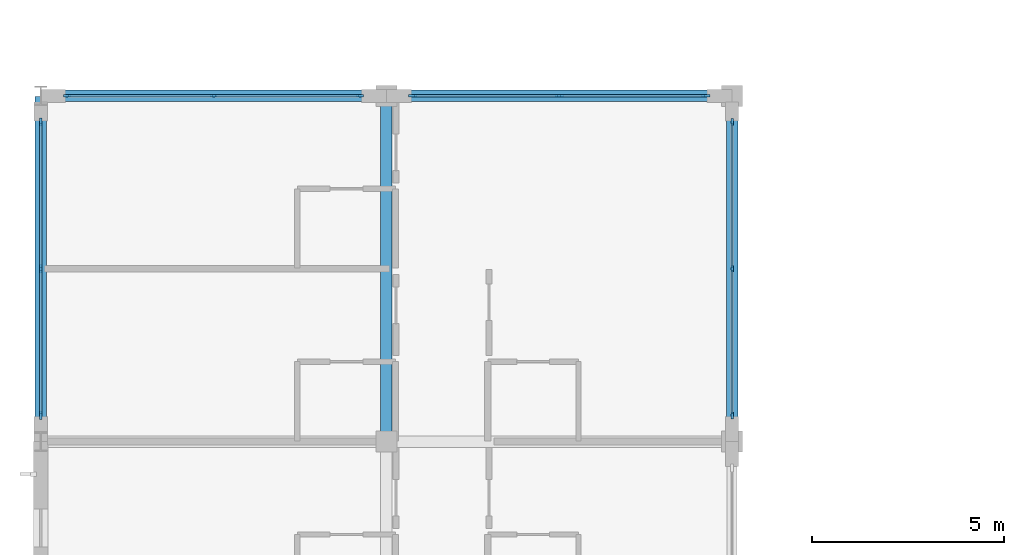
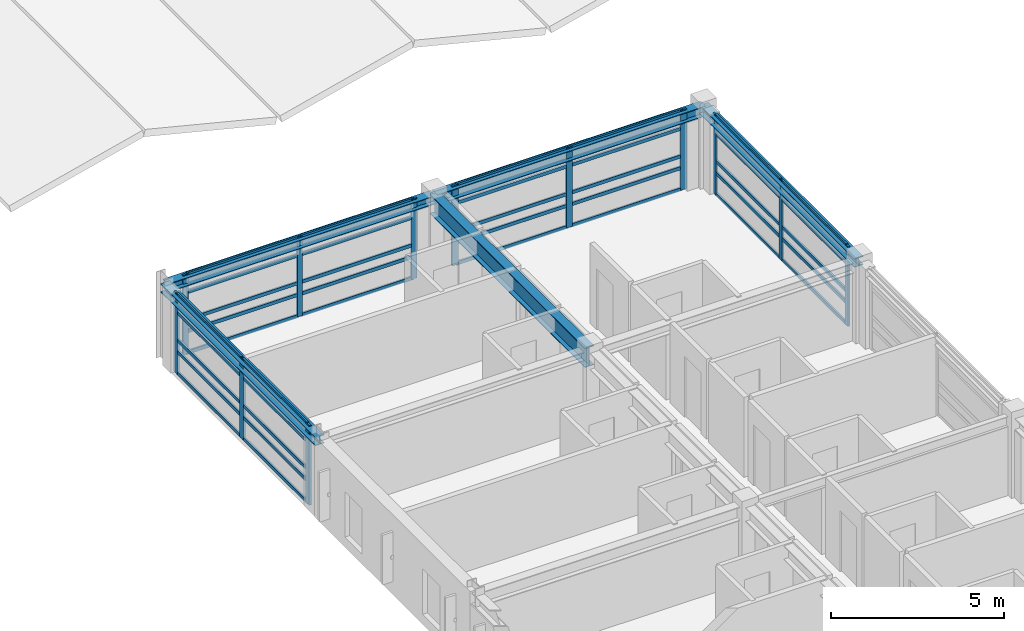
# One storey, part 13 of 37: 52 members, 5 beams, 4 elements without a shape of their own.
"""IFC4 building model written with IfcOpenShell, lengths in metres."""

from ifc_helpers import new_model, si_unit, direction, frame, origin, origin_2d, place, context, subcontext, project, spatial, rectangle, i_section, extrude, material, material_profile, profile_set, type_object, element, aggregate, save


model = new_model("IFC4")

# Units and contexts
model_context = context("Model", 3, precision=1e-05, world=origin(), true_north=direction((0.0, 1.0)))
body_context = subcontext(model_context, "Body", "Model", "MODEL_VIEW")
ifc_project = project(units=[si_unit("LENGTHUNIT", "METRE"), si_unit("AREAUNIT", "SQUARE_METRE"), si_unit("VOLUMEUNIT", "CUBIC_METRE"), si_unit("PLANEANGLEUNIT", "RADIAN"), si_unit("MASSUNIT", "GRAM", prefix="KILO")], contexts=[model_context])

# Site, building, storey
site_placement = place(None, origin())
site = spatial("IfcSite", under=ifc_project, at=site_placement, CompositionType="ELEMENT")
building_placement = place(site_placement, origin())
building = spatial("IfcBuilding", under=site, at=building_placement, Name="Palais des Congres Ocreval", CompositionType="ELEMENT")
storey_placement = place(building_placement, frame((0.0, 0.0, 11.52001953125)))
storey = spatial("IfcBuildingStorey", under=building, at=storey_placement, Name="L03", CompositionType="ELEMENT", Elevation=11.52001953125)

# Curtain wall, members
ifc_material_1 = material(Name="Anodized bronze aluminium and low-E glass", Category="glass")
curtain_wall_type = type_object("IfcCurtainWallType", Name="Unitised Curtain Wall 7900x2820", PredefinedType="USERDEFINED", material=ifc_material_1)
curtain_wall_1_placement = place(storey_placement, origin())
curtain_wall_1 = element("IfcCurtainWall", 1, at=curtain_wall_1_placement, inside=storey, type_object=curtain_wall_type, Name="Unitised Curtain Wall CW04 L03", ObjectType="UNITISED CURTAIN WALL", PredefinedType="USERDEFINED")
ifc_material_2 = material(Name="Anodized bronze aluminium", Category="aluminium")
ifc_material_profile_1 = material_profile(ifc_material_2, rectangle(XDim=0.06494140625, YDim=0.179931640625, at=origin_2d()), Name="ALU 65x180")
ifc_profile_set_1 = profile_set([ifc_material_profile_1], Name="Anodized bronze aluminium")
member_type_1 = type_object("IfcMemberType", Name="Curtain Wall Mullion ALU 65x180", PredefinedType="MULLION", material=ifc_profile_set_1)
member_1_placement = place(storey_placement, frame((0.6826171875, 72.0, 0.0), z_axis=(0.0, 0.0, 1.0), x_axis=(0.0, 1.0, 0.0)))
member_1 = element("IfcMember", 2, at=member_1_placement, type_object=member_type_1, Name="Curtain Wall Mullion ML03", PredefinedType="MULLION", context=body_context, shape_type="SweptSolid", body=[
    extrude(rectangle(XDim=0.06494140625, YDim=0.179931640625, at=origin_2d()), origin(), (0.0, 0.0, 1.0), 2.820068359375),
])
member_2_placement = place(storey_placement, frame((4.5, 72.0, 0.0), z_axis=(0.0, 0.0, 1.0), x_axis=(0.0, 1.0, 0.0)))
member_2 = element("IfcMember", 3, at=member_2_placement, type_object=member_type_1, Name="Curtain Wall Mullion ML03", PredefinedType="MULLION", context=body_context, shape_type="SweptSolid", body=[
    extrude(rectangle(XDim=0.06494140625, YDim=0.179931640625, at=origin_2d()), origin(), (0.0, 0.0, 1.0), 2.820068359375),
])
member_3_placement = place(storey_placement, frame((8.3173828125, 72.0, 0.0), z_axis=(0.0, 0.0, 1.0), x_axis=(0.0, 1.0, 0.0)))
member_3 = element("IfcMember", 4, at=member_3_placement, type_object=member_type_1, Name="Curtain Wall Mullion ML03", PredefinedType="MULLION", context=body_context, shape_type="SweptSolid", body=[
    extrude(rectangle(XDim=0.06494140625, YDim=0.179931640625, at=origin_2d()), origin(), (0.0, 0.0, 1.0), 2.820068359375),
])

curtain_wall_2_placement = place(storey_placement, origin())
curtain_wall_2 = element("IfcCurtainWall", 5, at=curtain_wall_2_placement, inside=storey, type_object=curtain_wall_type, Name="Unitised Curtain Wall CW04 L03", ObjectType="UNITISED CURTAIN WALL", PredefinedType="USERDEFINED")
member_4_placement = place(storey_placement, frame((18.0, 71.3173828125, 0.0), z_axis=(0.0, 0.0, 1.0), x_axis=(1.0, 0.0, 0.0)))
member_4 = element("IfcMember", 6, at=member_4_placement, type_object=member_type_1, Name="Curtain Wall Mullion ML03", PredefinedType="MULLION", context=body_context, shape_type="SweptSolid", body=[
    extrude(rectangle(XDim=0.06494140625, YDim=0.179931640625, at=origin_2d()), origin(), (0.0, 0.0, 1.0), 2.820068359375),
])
member_5_placement = place(storey_placement, frame((18.0, 67.5, 0.0), z_axis=(0.0, 0.0, 1.0), x_axis=(1.0, 0.0, 0.0)))
member_5 = element("IfcMember", 7, at=member_5_placement, type_object=member_type_1, Name="Curtain Wall Mullion ML03", PredefinedType="MULLION", context=body_context, shape_type="SweptSolid", body=[
    extrude(rectangle(XDim=0.06494140625, YDim=0.179931640625, at=origin_2d()), origin(), (0.0, 0.0, 1.0), 2.820068359375),
])
member_6_placement = place(storey_placement, frame((18.0, 63.6826171875, 0.0), z_axis=(0.0, 0.0, 1.0), x_axis=(1.0, 0.0, 0.0)))
member_6 = element("IfcMember", 8, at=member_6_placement, type_object=member_type_1, Name="Curtain Wall Mullion ML03", PredefinedType="MULLION", context=body_context, shape_type="SweptSolid", body=[
    extrude(rectangle(XDim=0.06494140625, YDim=0.179931640625, at=origin_2d()), origin(), (0.0, 0.0, 1.0), 2.820068359375),
])

curtain_wall_3_placement = place(storey_placement, origin())
curtain_wall_3 = element("IfcCurtainWall", 9, at=curtain_wall_3_placement, inside=storey, type_object=curtain_wall_type, Name="Unitised Curtain Wall CW04 L03", ObjectType="UNITISED CURTAIN WALL", PredefinedType="USERDEFINED")
ifc_material_profile_2 = material_profile(ifc_material_2, rectangle(XDim=0.070068359375, YDim=0.2099609375, at=origin_2d()), Name="ALU 70x210")
ifc_profile_set_2 = profile_set([ifc_material_profile_2], Name="Anodized bronze aluminium")
member_type_2 = type_object("IfcMemberType", Name="Curtain Wall Mullion ALU 70x210", PredefinedType="MULLION", material=ifc_profile_set_2)
member_7_placement = place(storey_placement, frame((0.0, 63.68505859375, 0.0), z_axis=(0.0, 0.0, 1.0), x_axis=(-1.0, 0.0, 0.0)))
member_7 = element("IfcMember", 10, at=member_7_placement, type_object=member_type_2, Name="Curtain Wall Mullion ML02", PredefinedType="MULLION", context=body_context, shape_type="SweptSolid", body=[
    extrude(rectangle(XDim=0.070068359375, YDim=0.2099609375, at=origin_2d()), origin(), (0.0, 0.0, 1.0), 2.820068359375),
])
member_8_placement = place(storey_placement, frame((0.0, 67.5, 0.0), z_axis=(0.0, 0.0, 1.0), x_axis=(-1.0, 0.0, 0.0)))
member_8 = element("IfcMember", 11, at=member_8_placement, type_object=member_type_2, Name="Curtain Wall Mullion ML02", PredefinedType="MULLION", context=body_context, shape_type="SweptSolid", body=[
    extrude(rectangle(XDim=0.070068359375, YDim=0.2099609375, at=origin_2d()), origin(), (0.0, 0.0, 1.0), 2.820068359375),
])
member_9_placement = place(storey_placement, frame((0.0, 71.31494140625, 0.0), z_axis=(0.0, 0.0, 1.0), x_axis=(-1.0, 0.0, 0.0)))
member_9 = element("IfcMember", 12, at=member_9_placement, type_object=member_type_2, Name="Curtain Wall Mullion ML02", PredefinedType="MULLION", context=body_context, shape_type="SweptSolid", body=[
    extrude(rectangle(XDim=0.070068359375, YDim=0.2099609375, at=origin_2d()), origin(), (0.0, 0.0, 1.0), 2.820068359375),
])

curtain_wall_4_placement = place(storey_placement, origin())
curtain_wall_4 = element("IfcCurtainWall", 13, at=curtain_wall_4_placement, inside=storey, type_object=curtain_wall_type, Name="Unitised Curtain Wall CW04 L03", ObjectType="UNITISED CURTAIN WALL", PredefinedType="USERDEFINED")
member_10_placement = place(storey_placement, frame((9.68505859375, 72.0, 0.0), z_axis=(0.0, 0.0, 1.0), x_axis=(0.0, 1.0, 0.0)))
member_10 = element("IfcMember", 14, at=member_10_placement, type_object=member_type_2, Name="Curtain Wall Mullion ML02", PredefinedType="MULLION", context=body_context, shape_type="SweptSolid", body=[
    extrude(rectangle(XDim=0.070068359375, YDim=0.2099609375, at=origin_2d()), origin(), (0.0, 0.0, 1.0), 2.820068359375),
])
member_11_placement = place(storey_placement, frame((13.5, 72.0, 0.0), z_axis=(0.0, 0.0, 1.0), x_axis=(0.0, 1.0, 0.0)))
member_11 = element("IfcMember", 15, at=member_11_placement, type_object=member_type_2, Name="Curtain Wall Mullion ML02", PredefinedType="MULLION", context=body_context, shape_type="SweptSolid", body=[
    extrude(rectangle(XDim=0.070068359375, YDim=0.2099609375, at=origin_2d()), origin(), (0.0, 0.0, 1.0), 2.820068359375),
])
member_12_placement = place(storey_placement, frame((17.31494140625, 72.0, 0.0), z_axis=(0.0, 0.0, 1.0), x_axis=(0.0, 1.0, 0.0)))
member_12 = element("IfcMember", 16, at=member_12_placement, type_object=member_type_2, Name="Curtain Wall Mullion ML02", PredefinedType="MULLION", context=body_context, shape_type="SweptSolid", body=[
    extrude(rectangle(XDim=0.070068359375, YDim=0.2099609375, at=origin_2d()), origin(), (0.0, 0.0, 1.0), 2.820068359375),
])

# Member
ifc_material_profile_3 = material_profile(ifc_material_2, rectangle(XDim=0.06005859375, YDim=0.1201171875, at=origin_2d()), Name="ALU 60x120")
ifc_profile_set_3 = profile_set([ifc_material_profile_3], Name="Anodized bronze aluminium")
member_type_3 = type_object("IfcMemberType", Name="Curtain Wall Transom ALU 60x120", PredefinedType="USERDEFINED", material=ifc_profile_set_3)
member_13_placement = place(storey_placement, frame((0.0, 63.719970703125, 0.030029296875), z_axis=(0.0, 1.0, 0.0), x_axis=(-1.0, 0.0, 0.0)))
member_13 = element("IfcMember", 17, at=member_13_placement, type_object=member_type_3, Name="Curtain Wall Transom TR02", ObjectType="TRANSOM", PredefinedType="USERDEFINED", context=body_context, shape_type="SweptSolid", body=[
    extrude(rectangle(XDim=0.06005859375, YDim=0.1201171875, at=origin_2d()), origin(), (0.0, 0.0, 1.0), 3.7451171875),
])

member_14_placement = place(storey_placement, frame((0.0, 63.719970703125, 0.780029296875), z_axis=(0.0, 1.0, 0.0), x_axis=(-1.0, 0.0, 0.0)))
member_14 = element("IfcMember", 18, at=member_14_placement, type_object=member_type_3, Name="Curtain Wall Transom TR02", ObjectType="TRANSOM", PredefinedType="USERDEFINED", context=body_context, shape_type="SweptSolid", body=[
    extrude(rectangle(XDim=0.06005859375, YDim=0.1201171875, at=origin_2d()), origin(), (0.0, 0.0, 1.0), 3.7451171875),
])

member_15_placement = place(storey_placement, frame((0.0, 63.719970703125, 1.193359375), z_axis=(0.0, 1.0, 0.0), x_axis=(-1.0, 0.0, 0.0)))
member_15 = element("IfcMember", 19, at=member_15_placement, type_object=member_type_3, Name="Curtain Wall Transom TR02", ObjectType="TRANSOM", PredefinedType="USERDEFINED", context=body_context, shape_type="SweptSolid", body=[
    extrude(rectangle(XDim=0.06005859375, YDim=0.1201171875, at=origin_2d()), origin(), (0.0, 0.0, 1.0), 3.7451171875),
])

member_16_placement = place(storey_placement, frame((0.0, 63.719970703125, 2.169921875), z_axis=(0.0, 1.0, 0.0), x_axis=(-1.0, 0.0, 0.0)))
member_16 = element("IfcMember", 20, at=member_16_placement, type_object=member_type_3, Name="Curtain Wall Transom TR02", ObjectType="TRANSOM", PredefinedType="USERDEFINED", context=body_context, shape_type="SweptSolid", body=[
    extrude(rectangle(XDim=0.06005859375, YDim=0.1201171875, at=origin_2d()), origin(), (0.0, 0.0, 1.0), 3.7451171875),
])

member_17_placement = place(storey_placement, frame((0.0, 63.719970703125, 2.7900390625), z_axis=(0.0, 1.0, 0.0), x_axis=(-1.0, 0.0, 0.0)))
member_17 = element("IfcMember", 21, at=member_17_placement, type_object=member_type_3, Name="Curtain Wall Transom TR02", ObjectType="TRANSOM", PredefinedType="USERDEFINED", context=body_context, shape_type="SweptSolid", body=[
    extrude(rectangle(XDim=0.06005859375, YDim=0.1201171875, at=origin_2d()), origin(), (0.0, 0.0, 1.0), 3.7451171875),
])

member_18_placement = place(storey_placement, frame((0.0, 67.534912109375, 0.030029296875), z_axis=(0.0, 1.0, 0.0), x_axis=(-1.0, 0.0, 0.0)))
member_18 = element("IfcMember", 22, at=member_18_placement, type_object=member_type_3, Name="Curtain Wall Transom TR02", ObjectType="TRANSOM", PredefinedType="USERDEFINED", context=body_context, shape_type="SweptSolid", body=[
    extrude(rectangle(XDim=0.06005859375, YDim=0.1201171875, at=origin_2d()), origin(), (0.0, 0.0, 1.0), 3.7451171875),
])

member_19_placement = place(storey_placement, frame((0.0, 67.534912109375, 0.780029296875), z_axis=(0.0, 1.0, 0.0), x_axis=(-1.0, 0.0, 0.0)))
member_19 = element("IfcMember", 23, at=member_19_placement, type_object=member_type_3, Name="Curtain Wall Transom TR02", ObjectType="TRANSOM", PredefinedType="USERDEFINED", context=body_context, shape_type="SweptSolid", body=[
    extrude(rectangle(XDim=0.06005859375, YDim=0.1201171875, at=origin_2d()), origin(), (0.0, 0.0, 1.0), 3.7451171875),
])

member_20_placement = place(storey_placement, frame((0.0, 67.534912109375, 1.193359375), z_axis=(0.0, 1.0, 0.0), x_axis=(-1.0, 0.0, 0.0)))
member_20 = element("IfcMember", 24, at=member_20_placement, type_object=member_type_3, Name="Curtain Wall Transom TR02", ObjectType="TRANSOM", PredefinedType="USERDEFINED", context=body_context, shape_type="SweptSolid", body=[
    extrude(rectangle(XDim=0.06005859375, YDim=0.1201171875, at=origin_2d()), origin(), (0.0, 0.0, 1.0), 3.7451171875),
])

member_21_placement = place(storey_placement, frame((0.0, 67.534912109375, 2.169921875), z_axis=(0.0, 1.0, 0.0), x_axis=(-1.0, 0.0, 0.0)))
member_21 = element("IfcMember", 25, at=member_21_placement, type_object=member_type_3, Name="Curtain Wall Transom TR02", ObjectType="TRANSOM", PredefinedType="USERDEFINED", context=body_context, shape_type="SweptSolid", body=[
    extrude(rectangle(XDim=0.06005859375, YDim=0.1201171875, at=origin_2d()), origin(), (0.0, 0.0, 1.0), 3.7451171875),
])

member_22_placement = place(storey_placement, frame((0.0, 67.534912109375, 2.7900390625), z_axis=(0.0, 1.0, 0.0), x_axis=(-1.0, 0.0, 0.0)))
member_22 = element("IfcMember", 26, at=member_22_placement, type_object=member_type_3, Name="Curtain Wall Transom TR02", ObjectType="TRANSOM", PredefinedType="USERDEFINED", context=body_context, shape_type="SweptSolid", body=[
    extrude(rectangle(XDim=0.06005859375, YDim=0.1201171875, at=origin_2d()), origin(), (0.0, 0.0, 1.0), 3.7451171875),
])

aggregate(curtain_wall_3, [member_7, member_8, member_9, member_13, member_14, member_15, member_16, member_17, member_18, member_19, member_20, member_21, member_22])

member_23_placement = place(storey_placement, frame((0.715087890625, 72.0, 0.030029296875), z_axis=(1.0, 0.0, 0.0), x_axis=(0.0, 1.0, 0.0)))
member_23 = element("IfcMember", 27, at=member_23_placement, type_object=member_type_3, Name="Curtain Wall Transom TR02", ObjectType="TRANSOM", PredefinedType="USERDEFINED", context=body_context, shape_type="SweptSolid", body=[
    extrude(rectangle(XDim=0.06005859375, YDim=0.1201171875, at=origin_2d()), origin(), (0.0, 0.0, 1.0), 3.75244140625),
])

member_24_placement = place(storey_placement, frame((0.715087890625, 72.0, 0.780029296875), z_axis=(1.0, 0.0, 0.0), x_axis=(0.0, 1.0, 0.0)))
member_24 = element("IfcMember", 28, at=member_24_placement, type_object=member_type_3, Name="Curtain Wall Transom TR02", ObjectType="TRANSOM", PredefinedType="USERDEFINED", context=body_context, shape_type="SweptSolid", body=[
    extrude(rectangle(XDim=0.06005859375, YDim=0.1201171875, at=origin_2d()), origin(), (0.0, 0.0, 1.0), 3.75244140625),
])

member_25_placement = place(storey_placement, frame((0.715087890625, 72.0, 1.193359375), z_axis=(1.0, 0.0, 0.0), x_axis=(0.0, 1.0, 0.0)))
member_25 = element("IfcMember", 29, at=member_25_placement, type_object=member_type_3, Name="Curtain Wall Transom TR02", ObjectType="TRANSOM", PredefinedType="USERDEFINED", context=body_context, shape_type="SweptSolid", body=[
    extrude(rectangle(XDim=0.06005859375, YDim=0.1201171875, at=origin_2d()), origin(), (0.0, 0.0, 1.0), 3.75244140625),
])

member_26_placement = place(storey_placement, frame((0.715087890625, 72.0, 2.169921875), z_axis=(1.0, 0.0, 0.0), x_axis=(0.0, 1.0, 0.0)))
member_26 = element("IfcMember", 30, at=member_26_placement, type_object=member_type_3, Name="Curtain Wall Transom TR02", ObjectType="TRANSOM", PredefinedType="USERDEFINED", context=body_context, shape_type="SweptSolid", body=[
    extrude(rectangle(XDim=0.06005859375, YDim=0.1201171875, at=origin_2d()), origin(), (0.0, 0.0, 1.0), 3.75244140625),
])

member_27_placement = place(storey_placement, frame((0.715087890625, 72.0, 2.7900390625), z_axis=(1.0, 0.0, 0.0), x_axis=(0.0, 1.0, 0.0)))
member_27 = element("IfcMember", 31, at=member_27_placement, type_object=member_type_3, Name="Curtain Wall Transom TR02", ObjectType="TRANSOM", PredefinedType="USERDEFINED", context=body_context, shape_type="SweptSolid", body=[
    extrude(rectangle(XDim=0.06005859375, YDim=0.1201171875, at=origin_2d()), origin(), (0.0, 0.0, 1.0), 3.75244140625),
])

member_28_placement = place(storey_placement, frame((4.532470703125, 72.0, 0.030029296875), z_axis=(1.0, 0.0, 0.0), x_axis=(0.0, 1.0, 0.0)))
member_28 = element("IfcMember", 32, at=member_28_placement, type_object=member_type_3, Name="Curtain Wall Transom TR02", ObjectType="TRANSOM", PredefinedType="USERDEFINED", context=body_context, shape_type="SweptSolid", body=[
    extrude(rectangle(XDim=0.06005859375, YDim=0.1201171875, at=origin_2d()), origin(), (0.0, 0.0, 1.0), 3.75244140625),
])

member_29_placement = place(storey_placement, frame((4.532470703125, 72.0, 0.780029296875), z_axis=(1.0, 0.0, 0.0), x_axis=(0.0, 1.0, 0.0)))
member_29 = element("IfcMember", 33, at=member_29_placement, type_object=member_type_3, Name="Curtain Wall Transom TR02", ObjectType="TRANSOM", PredefinedType="USERDEFINED", context=body_context, shape_type="SweptSolid", body=[
    extrude(rectangle(XDim=0.06005859375, YDim=0.1201171875, at=origin_2d()), origin(), (0.0, 0.0, 1.0), 3.75244140625),
])

member_30_placement = place(storey_placement, frame((4.532470703125, 72.0, 1.193359375), z_axis=(1.0, 0.0, 0.0), x_axis=(0.0, 1.0, 0.0)))
member_30 = element("IfcMember", 34, at=member_30_placement, type_object=member_type_3, Name="Curtain Wall Transom TR02", ObjectType="TRANSOM", PredefinedType="USERDEFINED", context=body_context, shape_type="SweptSolid", body=[
    extrude(rectangle(XDim=0.06005859375, YDim=0.1201171875, at=origin_2d()), origin(), (0.0, 0.0, 1.0), 3.75244140625),
])

member_31_placement = place(storey_placement, frame((4.532470703125, 72.0, 2.169921875), z_axis=(1.0, 0.0, 0.0), x_axis=(0.0, 1.0, 0.0)))
member_31 = element("IfcMember", 35, at=member_31_placement, type_object=member_type_3, Name="Curtain Wall Transom TR02", ObjectType="TRANSOM", PredefinedType="USERDEFINED", context=body_context, shape_type="SweptSolid", body=[
    extrude(rectangle(XDim=0.06005859375, YDim=0.1201171875, at=origin_2d()), origin(), (0.0, 0.0, 1.0), 3.75244140625),
])

member_32_placement = place(storey_placement, frame((4.532470703125, 72.0, 2.7900390625), z_axis=(1.0, 0.0, 0.0), x_axis=(0.0, 1.0, 0.0)))
member_32 = element("IfcMember", 36, at=member_32_placement, type_object=member_type_3, Name="Curtain Wall Transom TR02", ObjectType="TRANSOM", PredefinedType="USERDEFINED", context=body_context, shape_type="SweptSolid", body=[
    extrude(rectangle(XDim=0.06005859375, YDim=0.1201171875, at=origin_2d()), origin(), (0.0, 0.0, 1.0), 3.75244140625),
])

aggregate(curtain_wall_1, [member_1, member_2, member_3, member_23, member_24, member_25, member_26, member_27, member_28, member_29, member_30, member_31, member_32])

member_33_placement = place(storey_placement, frame((9.719970703125, 72.0, 0.030029296875), z_axis=(1.0, 0.0, 0.0), x_axis=(0.0, 1.0, 0.0)))
member_33 = element("IfcMember", 37, at=member_33_placement, type_object=member_type_3, Name="Curtain Wall Transom TR02", ObjectType="TRANSOM", PredefinedType="USERDEFINED", context=body_context, shape_type="SweptSolid", body=[
    extrude(rectangle(XDim=0.06005859375, YDim=0.1201171875, at=origin_2d()), origin(), (0.0, 0.0, 1.0), 3.7451171875),
])

member_34_placement = place(storey_placement, frame((9.719970703125, 72.0, 0.780029296875), z_axis=(1.0, 0.0, 0.0), x_axis=(0.0, 1.0, 0.0)))
member_34 = element("IfcMember", 38, at=member_34_placement, type_object=member_type_3, Name="Curtain Wall Transom TR02", ObjectType="TRANSOM", PredefinedType="USERDEFINED", context=body_context, shape_type="SweptSolid", body=[
    extrude(rectangle(XDim=0.06005859375, YDim=0.1201171875, at=origin_2d()), origin(), (0.0, 0.0, 1.0), 3.7451171875),
])

member_35_placement = place(storey_placement, frame((9.719970703125, 72.0, 1.193359375), z_axis=(1.0, 0.0, 0.0), x_axis=(0.0, 1.0, 0.0)))
member_35 = element("IfcMember", 39, at=member_35_placement, type_object=member_type_3, Name="Curtain Wall Transom TR02", ObjectType="TRANSOM", PredefinedType="USERDEFINED", context=body_context, shape_type="SweptSolid", body=[
    extrude(rectangle(XDim=0.06005859375, YDim=0.1201171875, at=origin_2d()), origin(), (0.0, 0.0, 1.0), 3.7451171875),
])

member_36_placement = place(storey_placement, frame((9.719970703125, 72.0, 2.169921875), z_axis=(1.0, 0.0, 0.0), x_axis=(0.0, 1.0, 0.0)))
member_36 = element("IfcMember", 40, at=member_36_placement, type_object=member_type_3, Name="Curtain Wall Transom TR02", ObjectType="TRANSOM", PredefinedType="USERDEFINED", context=body_context, shape_type="SweptSolid", body=[
    extrude(rectangle(XDim=0.06005859375, YDim=0.1201171875, at=origin_2d()), origin(), (0.0, 0.0, 1.0), 3.7451171875),
])

member_37_placement = place(storey_placement, frame((9.719970703125, 72.0, 2.7900390625), z_axis=(1.0, 0.0, 0.0), x_axis=(0.0, 1.0, 0.0)))
member_37 = element("IfcMember", 41, at=member_37_placement, type_object=member_type_3, Name="Curtain Wall Transom TR02", ObjectType="TRANSOM", PredefinedType="USERDEFINED", context=body_context, shape_type="SweptSolid", body=[
    extrude(rectangle(XDim=0.06005859375, YDim=0.1201171875, at=origin_2d()), origin(), (0.0, 0.0, 1.0), 3.7451171875),
])

member_38_placement = place(storey_placement, frame((13.534912109375, 72.0, 0.030029296875), z_axis=(1.0, 0.0, 0.0), x_axis=(0.0, 1.0, 0.0)))
member_38 = element("IfcMember", 42, at=member_38_placement, type_object=member_type_3, Name="Curtain Wall Transom TR02", ObjectType="TRANSOM", PredefinedType="USERDEFINED", context=body_context, shape_type="SweptSolid", body=[
    extrude(rectangle(XDim=0.06005859375, YDim=0.1201171875, at=origin_2d()), origin(), (0.0, 0.0, 1.0), 3.7451171875),
])

member_39_placement = place(storey_placement, frame((13.534912109375, 72.0, 0.780029296875), z_axis=(1.0, 0.0, 0.0), x_axis=(0.0, 1.0, 0.0)))
member_39 = element("IfcMember", 43, at=member_39_placement, type_object=member_type_3, Name="Curtain Wall Transom TR02", ObjectType="TRANSOM", PredefinedType="USERDEFINED", context=body_context, shape_type="SweptSolid", body=[
    extrude(rectangle(XDim=0.06005859375, YDim=0.1201171875, at=origin_2d()), origin(), (0.0, 0.0, 1.0), 3.7451171875),
])

member_40_placement = place(storey_placement, frame((13.534912109375, 72.0, 1.193359375), z_axis=(1.0, 0.0, 0.0), x_axis=(0.0, 1.0, 0.0)))
member_40 = element("IfcMember", 44, at=member_40_placement, type_object=member_type_3, Name="Curtain Wall Transom TR02", ObjectType="TRANSOM", PredefinedType="USERDEFINED", context=body_context, shape_type="SweptSolid", body=[
    extrude(rectangle(XDim=0.06005859375, YDim=0.1201171875, at=origin_2d()), origin(), (0.0, 0.0, 1.0), 3.7451171875),
])

member_41_placement = place(storey_placement, frame((13.534912109375, 72.0, 2.169921875), z_axis=(1.0, 0.0, 0.0), x_axis=(0.0, 1.0, 0.0)))
member_41 = element("IfcMember", 45, at=member_41_placement, type_object=member_type_3, Name="Curtain Wall Transom TR02", ObjectType="TRANSOM", PredefinedType="USERDEFINED", context=body_context, shape_type="SweptSolid", body=[
    extrude(rectangle(XDim=0.06005859375, YDim=0.1201171875, at=origin_2d()), origin(), (0.0, 0.0, 1.0), 3.7451171875),
])

member_42_placement = place(storey_placement, frame((13.534912109375, 72.0, 2.7900390625), z_axis=(1.0, 0.0, 0.0), x_axis=(0.0, 1.0, 0.0)))
member_42 = element("IfcMember", 46, at=member_42_placement, type_object=member_type_3, Name="Curtain Wall Transom TR02", ObjectType="TRANSOM", PredefinedType="USERDEFINED", context=body_context, shape_type="SweptSolid", body=[
    extrude(rectangle(XDim=0.06005859375, YDim=0.1201171875, at=origin_2d()), origin(), (0.0, 0.0, 1.0), 3.7451171875),
])

aggregate(curtain_wall_4, [member_10, member_11, member_12, member_33, member_34, member_35, member_36, member_37, member_38, member_39, member_40, member_41, member_42])

member_43_placement = place(storey_placement, frame((18.0, 71.284912109375, 0.030029296875), z_axis=(0.0, -1.0, 0.0), x_axis=(1.0, 0.0, 0.0)))
member_43 = element("IfcMember", 47, at=member_43_placement, type_object=member_type_3, Name="Curtain Wall Transom TR02", ObjectType="TRANSOM", PredefinedType="USERDEFINED", context=body_context, shape_type="SweptSolid", body=[
    extrude(rectangle(XDim=0.06005859375, YDim=0.1201171875, at=origin_2d()), origin(), (0.0, 0.0, 1.0), 3.75244140625),
])

member_44_placement = place(storey_placement, frame((18.0, 71.284912109375, 0.780029296875), z_axis=(0.0, -1.0, 0.0), x_axis=(1.0, 0.0, 0.0)))
member_44 = element("IfcMember", 48, at=member_44_placement, type_object=member_type_3, Name="Curtain Wall Transom TR02", ObjectType="TRANSOM", PredefinedType="USERDEFINED", context=body_context, shape_type="SweptSolid", body=[
    extrude(rectangle(XDim=0.06005859375, YDim=0.1201171875, at=origin_2d()), origin(), (0.0, 0.0, 1.0), 3.75244140625),
])

member_45_placement = place(storey_placement, frame((18.0, 71.284912109375, 1.193359375), z_axis=(0.0, -1.0, 0.0), x_axis=(1.0, 0.0, 0.0)))
member_45 = element("IfcMember", 49, at=member_45_placement, type_object=member_type_3, Name="Curtain Wall Transom TR02", ObjectType="TRANSOM", PredefinedType="USERDEFINED", context=body_context, shape_type="SweptSolid", body=[
    extrude(rectangle(XDim=0.06005859375, YDim=0.1201171875, at=origin_2d()), origin(), (0.0, 0.0, 1.0), 3.75244140625),
])

member_46_placement = place(storey_placement, frame((18.0, 71.284912109375, 2.169921875), z_axis=(0.0, -1.0, 0.0), x_axis=(1.0, 0.0, 0.0)))
member_46 = element("IfcMember", 50, at=member_46_placement, type_object=member_type_3, Name="Curtain Wall Transom TR02", ObjectType="TRANSOM", PredefinedType="USERDEFINED", context=body_context, shape_type="SweptSolid", body=[
    extrude(rectangle(XDim=0.06005859375, YDim=0.1201171875, at=origin_2d()), origin(), (0.0, 0.0, 1.0), 3.75244140625),
])

member_47_placement = place(storey_placement, frame((18.0, 71.284912109375, 2.7900390625), z_axis=(0.0, -1.0, 0.0), x_axis=(1.0, 0.0, 0.0)))
member_47 = element("IfcMember", 51, at=member_47_placement, type_object=member_type_3, Name="Curtain Wall Transom TR02", ObjectType="TRANSOM", PredefinedType="USERDEFINED", context=body_context, shape_type="SweptSolid", body=[
    extrude(rectangle(XDim=0.06005859375, YDim=0.1201171875, at=origin_2d()), origin(), (0.0, 0.0, 1.0), 3.75244140625),
])

member_48_placement = place(storey_placement, frame((18.0, 67.467529296875, 0.030029296875), z_axis=(0.0, -1.0, 0.0), x_axis=(1.0, 0.0, 0.0)))
member_48 = element("IfcMember", 52, at=member_48_placement, type_object=member_type_3, Name="Curtain Wall Transom TR02", ObjectType="TRANSOM", PredefinedType="USERDEFINED", context=body_context, shape_type="SweptSolid", body=[
    extrude(rectangle(XDim=0.06005859375, YDim=0.1201171875, at=origin_2d()), origin(), (0.0, 0.0, 1.0), 3.75244140625),
])

member_49_placement = place(storey_placement, frame((18.0, 67.467529296875, 0.780029296875), z_axis=(0.0, -1.0, 0.0), x_axis=(1.0, 0.0, 0.0)))
member_49 = element("IfcMember", 53, at=member_49_placement, type_object=member_type_3, Name="Curtain Wall Transom TR02", ObjectType="TRANSOM", PredefinedType="USERDEFINED", context=body_context, shape_type="SweptSolid", body=[
    extrude(rectangle(XDim=0.06005859375, YDim=0.1201171875, at=origin_2d()), origin(), (0.0, 0.0, 1.0), 3.75244140625),
])

member_50_placement = place(storey_placement, frame((18.0, 67.467529296875, 1.193359375), z_axis=(0.0, -1.0, 0.0), x_axis=(1.0, 0.0, 0.0)))
member_50 = element("IfcMember", 54, at=member_50_placement, type_object=member_type_3, Name="Curtain Wall Transom TR02", ObjectType="TRANSOM", PredefinedType="USERDEFINED", context=body_context, shape_type="SweptSolid", body=[
    extrude(rectangle(XDim=0.06005859375, YDim=0.1201171875, at=origin_2d()), origin(), (0.0, 0.0, 1.0), 3.75244140625),
])

member_51_placement = place(storey_placement, frame((18.0, 67.467529296875, 2.169921875), z_axis=(0.0, -1.0, 0.0), x_axis=(1.0, 0.0, 0.0)))
member_51 = element("IfcMember", 55, at=member_51_placement, type_object=member_type_3, Name="Curtain Wall Transom TR02", ObjectType="TRANSOM", PredefinedType="USERDEFINED", context=body_context, shape_type="SweptSolid", body=[
    extrude(rectangle(XDim=0.06005859375, YDim=0.1201171875, at=origin_2d()), origin(), (0.0, 0.0, 1.0), 3.75244140625),
])

member_52_placement = place(storey_placement, frame((18.0, 67.467529296875, 2.7900390625), z_axis=(0.0, -1.0, 0.0), x_axis=(1.0, 0.0, 0.0)))
member_52 = element("IfcMember", 56, at=member_52_placement, type_object=member_type_3, Name="Curtain Wall Transom TR02", ObjectType="TRANSOM", PredefinedType="USERDEFINED", context=body_context, shape_type="SweptSolid", body=[
    extrude(rectangle(XDim=0.06005859375, YDim=0.1201171875, at=origin_2d()), origin(), (0.0, 0.0, 1.0), 3.75244140625),
])

aggregate(curtain_wall_2, [member_4, member_5, member_6, member_43, member_44, member_45, member_46, member_47, member_48, member_49, member_50, member_51, member_52])

# Beams
ifc_material_3 = material(Name="Steel S355", Category="steel")
ifc_material_profile_4 = material_profile(ifc_material_3, i_section(OverallWidth=0.300048828125, OverallDepth=0.300048828125, WebThickness=0.010986328125, FlangeThickness=0.01904296875, at=origin_2d()), Name="HEB 300")
ifc_profile_set_4 = profile_set([ifc_material_profile_4], Name="Steel S355")
beam_type_1 = type_object("IfcBeamType", Name="Perimeter Spandrel HEB 300 Steel S355", PredefinedType="SPANDREL", material=ifc_profile_set_4)
for number, where, z_axis, x_axis, name in (
    (57, (0.0, 63.02001953125, 2.6298828125), (0.0, 1.0, 0.0), (-1.0, 0.0, 0.0), "Girder SP02 L03"),
    (58, (0.02001953125, 72.0, 2.6298828125), (1.0, 0.0, 0.0), (0.0, 1.0, 0.0), "Beam SP02 L03"),
    (59, (18.0, 63.02001953125, 2.6298828125), (0.0, 1.0, 0.0), (-1.0, 0.0, 0.0), "Girder SP02 L03"),
):
    element("IfcBeam", number, at=place(storey_placement, frame(where, z_axis=z_axis, x_axis=x_axis)), inside=storey, type_object=beam_type_1, Name=name, PredefinedType="SPANDREL", context=body_context, shape_type="SweptSolid", body=[
        extrude(i_section(OverallWidth=0.300048828125, OverallDepth=0.300048828125, WebThickness=0.010986328125, FlangeThickness=0.01904296875, at=origin_2d()), origin(), (0.0, 0.0, 1.0), 8.9599609375),
    ])
ifc_material_profile_5 = material_profile(ifc_material_3, i_section(OverallWidth=0.300048828125, OverallDepth=0.360107421875, WebThickness=0.012451171875, FlangeThickness=0.0224609375, at=origin_2d()), Name="HEB 360")
ifc_profile_set_5 = profile_set([ifc_material_profile_5], Name="Steel S355")
beam_type_2 = type_object("IfcBeamType", Name="Perimeter Spandrel HEB 360 Steel S355", PredefinedType="SPANDREL", material=ifc_profile_set_5)
beam_1_placement = place(storey_placement, frame((9.02001953125, 72.0, 2.60009765625), z_axis=(1.0, 0.0, 0.0), x_axis=(0.0, 1.0, 0.0)))
element("IfcBeam", 60, at=beam_1_placement, inside=storey, type_object=beam_type_2, Name="Beam SP03 L03", PredefinedType="SPANDREL", context=body_context, shape_type="SweptSolid", body=[
    extrude(i_section(OverallWidth=0.300048828125, OverallDepth=0.360107421875, WebThickness=0.012451171875, FlangeThickness=0.0224609375, at=origin_2d()), origin(), (0.0, 0.0, 1.0), 8.9599609375),
])
ifc_material_profile_6 = material_profile(ifc_material_3, i_section(OverallWidth=0.300048828125, OverallDepth=0.68994140625, WebThickness=0.014404296875, FlangeThickness=0.027099609375, at=origin_2d()), Name="HEA 700")
ifc_profile_set_6 = profile_set([ifc_material_profile_6], Name="Steel S355")
beam_type_3 = type_object("IfcBeamType", Name="Primary Girder HEA 700 Steel S355", PredefinedType="BEAM", material=ifc_profile_set_6)
beam_2_placement = place(storey_placement, frame((9.0, 63.02001953125, 2.43505859375), z_axis=(0.0, 1.0, 0.0), x_axis=(-1.0, 0.0, 0.0)))
element("IfcBeam", 61, at=beam_2_placement, inside=storey, type_object=beam_type_3, Name="Girder B14 L03", PredefinedType="BEAM", context=body_context, shape_type="SweptSolid", body=[
    extrude(i_section(OverallWidth=0.300048828125, OverallDepth=0.68994140625, WebThickness=0.014404296875, FlangeThickness=0.027099609375, at=origin_2d()), origin(), (0.0, 0.0, 1.0), 8.9599609375),
])

save(model, "model.ifc")
